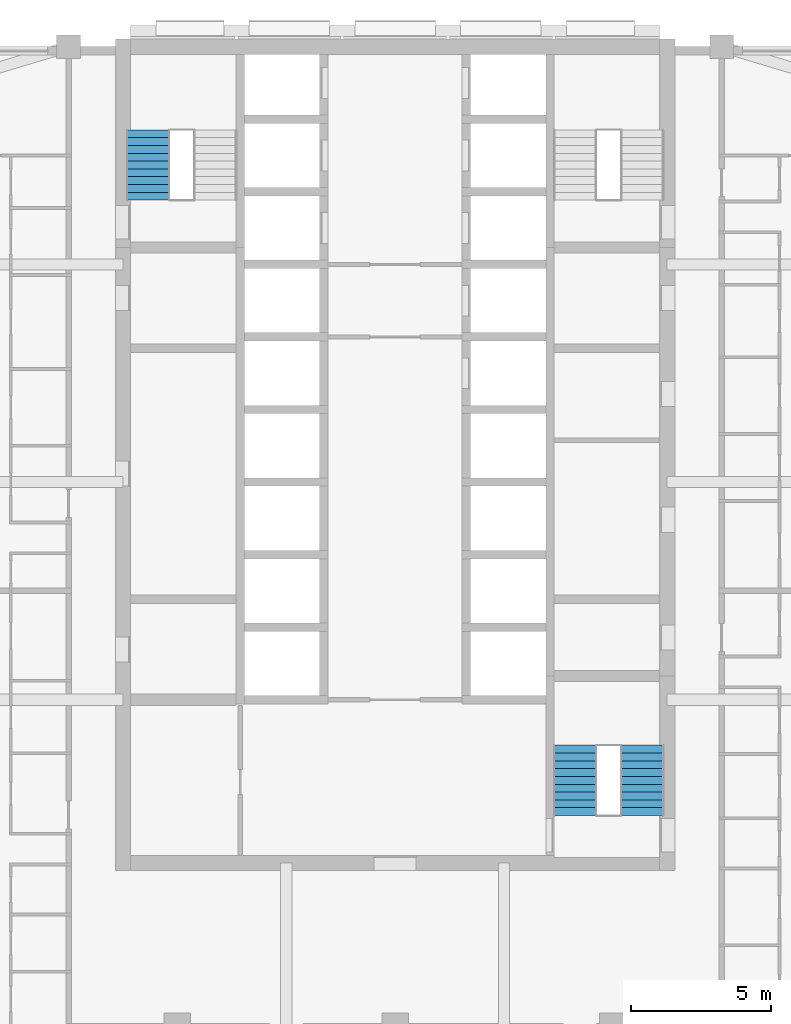
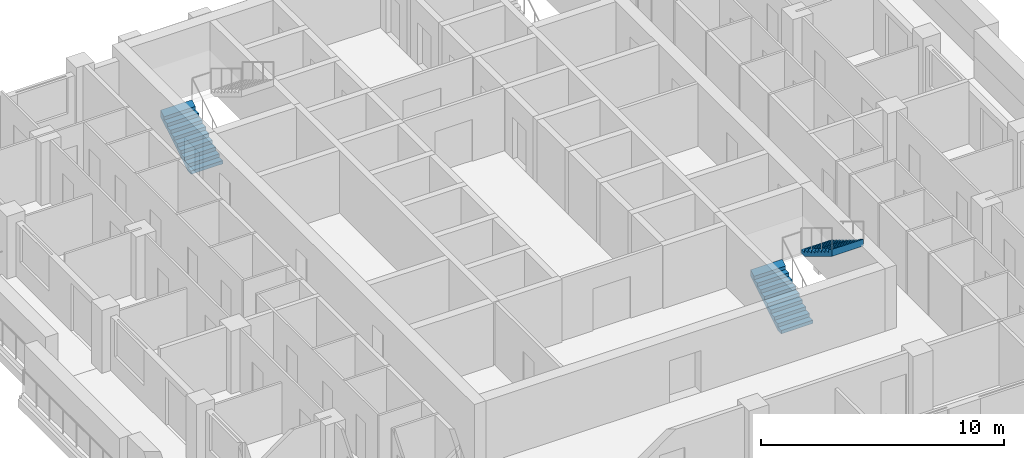
# One storey, part 9 of 12: 3 stair flights, 2 elements without a shape of their own.
"""IFC4 building model written with IfcOpenShell, lengths in metres."""

from ifc_helpers import new_model, si_unit, direction, frame, origin, place, context, subcontext, project, spatial, triangles, material, type_object, element, aggregate, save


model = new_model("IFC4")

# Units and contexts
model_context = context("Model", 3, precision=1e-05, world=origin(), true_north=direction((0.0, 1.0)))
body_context = subcontext(model_context, "Body", "Model", "MODEL_VIEW")
ifc_project = project(units=[si_unit("LENGTHUNIT", "METRE"), si_unit("AREAUNIT", "SQUARE_METRE"), si_unit("VOLUMEUNIT", "CUBIC_METRE"), si_unit("PLANEANGLEUNIT", "RADIAN"), si_unit("MASSUNIT", "GRAM", prefix="KILO")], contexts=[model_context])

# Site, building, storey
site_placement = place(None, origin())
site = spatial("IfcSite", under=ifc_project, at=site_placement, CompositionType="ELEMENT")
building_placement = place(site_placement, origin())
building = spatial("IfcBuilding", under=site, at=building_placement, Name="Ludao Terraces", CompositionType="ELEMENT")
storey_placement = place(building_placement, frame((0.0, 0.0, 137.300048828125)))
storey = spatial("IfcBuildingStorey", under=building, at=storey_placement, Name="L37", CompositionType="ELEMENT", Elevation=137.300048828125)

# Stair, stair flight
ifc_material = material(Name="Concrete C40", Category="concrete")
stair_type = type_object("IfcStairType", Name="INT Stair", PredefinedType="HALF_TURN_STAIR", material=ifc_material)
stair_1_placement = place(storey_placement, origin())
stair_1 = element("IfcStair", 1, at=stair_1_placement, inside=storey, type_object=stair_type, Name="EXIT STAIR 1", PredefinedType="HALF_TURN_STAIR")
stair_flight_type = type_object("IfcStairFlightType", Name="INT Stair flight", PredefinedType="STRAIGHT", material=ifc_material)
stair_flight_1_placement = place(storey_placement, frame((76.14990234375, 79.0, 0.0), z_axis=(0.0, 0.0, 1.0), x_axis=(0.0, 1.0, 0.0)))
stair_flight_1 = element("IfcStairFlight", 2, at=stair_flight_1_placement, type_object=stair_flight_type, Name="ST1 flight 1", NumberOfRisers=10, NumberOfTreads=9, PredefinedType="STRAIGHT", RiserHeight=0.17, TreadLength=0.28, context=body_context, shape_type="Tessellation", body=[
    triangles([(0.0, -0.75, 0.0), (0.0, -0.5, 0.0), (0.0, -0.25, 0.0), (0.0, 0.0, 0.0), (0.0, 0.25, 0.0), (0.0, 0.5, 0.0), (0.0, 0.75, 0.0), (0.0, -0.75, 0.169921875), (0.0, -0.5, 0.169921875), (0.0, -0.25, 0.169921875), (0.0, 0.0, 0.169921875), (0.0, 0.25, 0.169921875), (0.0, 0.5, 0.169921875), (0.0, 0.75, 0.169921875), (0.280029296875, -0.75, 0.169921875), (0.280029296875, -0.5, 0.169921875), (0.280029296875, -0.25, 0.169921875), (0.280029296875, 0.0, 0.169921875), (0.280029296875, 0.25, 0.169921875), (0.280029296875, 0.5, 0.169921875), (0.280029296875, 0.75, 0.169921875), (0.280029296875, -0.75, 0.340087890625), (0.280029296875, -0.5, 0.340087890625), (0.280029296875, -0.25, 0.340087890625), (0.280029296875, 0.0, 0.340087890625), (0.280029296875, 0.25, 0.340087890625), (0.280029296875, 0.5, 0.340087890625), (0.280029296875, 0.75, 0.340087890625), (0.56005859375, -0.75, 0.340087890625), (0.56005859375, -0.5, 0.340087890625), (0.56005859375, -0.25, 0.340087890625), (0.56005859375, 0.0, 0.340087890625), (0.56005859375, 0.25, 0.340087890625), (0.56005859375, 0.5, 0.340087890625), (0.56005859375, 0.75, 0.340087890625), (0.56005859375, -0.75, 0.510009765625), (0.56005859375, -0.5, 0.510009765625), (0.56005859375, -0.25, 0.510009765625), (0.56005859375, 0.0, 0.510009765625), (0.56005859375, 0.25, 0.510009765625), (0.56005859375, 0.5, 0.510009765625), (0.56005859375, 0.75, 0.510009765625), (0.840087890625, -0.75, 0.510009765625), (0.840087890625, -0.5, 0.510009765625), (0.840087890625, -0.25, 0.510009765625), (0.840087890625, 0.0, 0.510009765625), (0.840087890625, 0.25, 0.510009765625), (0.840087890625, 0.5, 0.510009765625), (0.840087890625, 0.75, 0.510009765625), (0.840087890625, -0.75, 0.679931640625), (0.840087890625, -0.5, 0.679931640625), (0.840087890625, -0.25, 0.679931640625), (0.840087890625, 0.0, 0.679931640625), (0.840087890625, 0.25, 0.679931640625), (0.840087890625, 0.5, 0.679931640625), (0.840087890625, 0.75, 0.679931640625), (1.1201171875, -0.75, 0.679931640625), (1.1201171875, -0.5, 0.679931640625), (1.1201171875, -0.25, 0.679931640625), (1.1201171875, 0.0, 0.679931640625), (1.1201171875, 0.25, 0.679931640625), (1.1201171875, 0.5, 0.679931640625), (1.1201171875, 0.75, 0.679931640625), (1.1201171875, -0.75, 0.85009765625), (1.1201171875, -0.5, 0.85009765625), (1.1201171875, -0.25, 0.85009765625), (1.1201171875, 0.0, 0.85009765625), (1.1201171875, 0.25, 0.85009765625), (1.1201171875, 0.5, 0.85009765625), (1.1201171875, 0.75, 0.85009765625), (1.39990234375, -0.75, 0.85009765625), (1.39990234375, -0.5, 0.85009765625), (1.39990234375, -0.25, 0.85009765625), (1.39990234375, 0.0, 0.85009765625), (1.39990234375, 0.25, 0.85009765625), (1.39990234375, 0.5, 0.85009765625), (1.39990234375, 0.75, 0.85009765625), (1.39990234375, -0.75, 1.02001953125), (1.39990234375, -0.5, 1.02001953125), (1.39990234375, -0.25, 1.02001953125), (1.39990234375, 0.0, 1.02001953125), (1.39990234375, 0.25, 1.02001953125), (1.39990234375, 0.5, 1.02001953125), (1.39990234375, 0.75, 1.02001953125), (1.679931640625, -0.75, 1.02001953125), (1.679931640625, -0.5, 1.02001953125), (1.679931640625, -0.25, 1.02001953125), (1.679931640625, 0.0, 1.02001953125), (1.679931640625, 0.25, 1.02001953125), (1.679931640625, 0.5, 1.02001953125), (1.679931640625, 0.75, 1.02001953125), (1.679931640625, -0.75, 1.18994140625), (1.679931640625, -0.5, 1.18994140625), (1.679931640625, -0.25, 1.18994140625), (1.679931640625, 0.0, 1.18994140625), (1.679931640625, 0.25, 1.18994140625), (1.679931640625, 0.5, 1.18994140625), (1.679931640625, 0.75, 1.18994140625), (1.9599609375, -0.75, 1.18994140625), (1.9599609375, -0.5, 1.18994140625), (1.9599609375, -0.25, 1.18994140625), (1.9599609375, 0.0, 1.18994140625), (1.9599609375, 0.25, 1.18994140625), (1.9599609375, 0.5, 1.18994140625), (1.9599609375, 0.75, 1.18994140625), (1.9599609375, -0.75, 1.360107421875), (1.9599609375, -0.5, 1.360107421875), (1.9599609375, -0.25, 1.360107421875), (1.9599609375, 0.0, 1.360107421875), (1.9599609375, 0.25, 1.360107421875), (1.9599609375, 0.5, 1.360107421875), (1.9599609375, 0.75, 1.360107421875), (2.239990234375, -0.75, 1.360107421875), (2.239990234375, -0.5, 1.360107421875), (2.239990234375, -0.25, 1.360107421875), (2.239990234375, 0.0, 1.360107421875), (2.239990234375, 0.25, 1.360107421875), (2.239990234375, 0.5, 1.360107421875), (2.239990234375, 0.75, 1.360107421875), (2.239990234375, -0.75, 1.530029296875), (2.239990234375, -0.5, 1.530029296875), (2.239990234375, -0.25, 1.530029296875), (2.239990234375, 0.0, 1.530029296875), (2.239990234375, 0.25, 1.530029296875), (2.239990234375, 0.5, 1.530029296875), (2.239990234375, 0.75, 1.530029296875), (2.52001953125, -0.75, 1.699951171875), (2.52001953125, -0.5, 1.699951171875), (2.52001953125, -0.25, 1.699951171875), (2.52001953125, 0.0, 1.699951171875), (2.52001953125, 0.25, 1.699951171875), (2.52001953125, 0.5, 1.699951171875), (2.52001953125, 0.75, 1.699951171875), (2.52001953125, -0.75, 1.354736328125), (2.52001953125, -0.5, 1.354736328125), (2.52001953125, -0.25, 1.354736328125), (2.52001953125, 0.0, 1.354736328125), (2.52001953125, 0.25, 1.354736328125), (2.52001953125, 0.5, 1.354736328125), (2.52001953125, 0.75, 1.354736328125), (0.288818359375, -0.75, 0.0), (0.288818359375, -0.5, 0.0), (0.288818359375, -0.25, 0.0), (0.288818359375, 0.0, 0.0), (0.288818359375, 0.25, 0.0), (0.288818359375, 0.5, 0.0), (0.288818359375, 0.75, 0.0)], [[1, 141, 134], [7, 140, 147], [134, 127, 120], [140, 126, 133], [134, 120, 113], [140, 119, 126], [134, 113, 106], [140, 112, 119], [134, 106, 99], [140, 105, 112], [99, 92, 85], [105, 91, 98], [134, 99, 85], [140, 91, 105], [85, 78, 71], [91, 77, 84], [134, 85, 71], [140, 77, 91], [71, 64, 57], [77, 63, 70], [134, 71, 57], [140, 63, 77], [57, 50, 43], [63, 49, 56], [134, 57, 43], [140, 49, 63], [43, 36, 29], [49, 35, 42], [134, 43, 29], [140, 35, 49], [29, 22, 15], [35, 21, 28], [134, 29, 15], [140, 21, 35], [1, 134, 15], [7, 21, 140], [15, 8, 1], [21, 7, 14], [1, 9, 2], [1, 8, 9], [2, 10, 3], [2, 9, 10], [3, 11, 4], [3, 10, 11], [4, 12, 5], [4, 11, 12], [5, 13, 6], [5, 12, 13], [6, 14, 7], [6, 13, 14], [8, 16, 9], [8, 15, 16], [9, 17, 10], [9, 16, 17], [10, 18, 11], [10, 17, 18], [11, 19, 12], [11, 18, 19], [12, 20, 13], [12, 19, 20], [13, 21, 14], [13, 20, 21], [15, 23, 16], [15, 22, 23], [16, 24, 17], [16, 23, 24], [17, 25, 18], [17, 24, 25], [18, 26, 19], [18, 25, 26], [19, 27, 20], [19, 26, 27], [20, 28, 21], [20, 27, 28], [22, 30, 23], [22, 29, 30], [23, 31, 24], [23, 30, 31], [24, 32, 25], [24, 31, 32], [25, 33, 26], [25, 32, 33], [26, 34, 27], [26, 33, 34], [27, 35, 28], [27, 34, 35], [29, 37, 30], [29, 36, 37], [30, 38, 31], [30, 37, 38], [31, 39, 32], [31, 38, 39], [32, 40, 33], [32, 39, 40], [33, 41, 34], [33, 40, 41], [34, 42, 35], [34, 41, 42], [36, 44, 37], [36, 43, 44], [37, 45, 38], [37, 44, 45], [38, 46, 39], [38, 45, 46], [39, 47, 40], [39, 46, 47], [40, 48, 41], [40, 47, 48], [41, 49, 42], [41, 48, 49], [43, 51, 44], [43, 50, 51], [44, 52, 45], [44, 51, 52], [45, 53, 46], [45, 52, 53], [46, 54, 47], [46, 53, 54], [47, 55, 48], [47, 54, 55], [48, 56, 49], [48, 55, 56], [50, 58, 51], [50, 57, 58], [51, 59, 52], [51, 58, 59], [52, 60, 53], [52, 59, 60], [53, 61, 54], [53, 60, 61], [54, 62, 55], [54, 61, 62], [55, 63, 56], [55, 62, 63], [57, 65, 58], [57, 64, 65], [58, 66, 59], [58, 65, 66], [59, 67, 60], [59, 66, 67], [60, 68, 61], [60, 67, 68], [61, 69, 62], [61, 68, 69], [62, 70, 63], [62, 69, 70], [64, 72, 65], [64, 71, 72], [65, 73, 66], [65, 72, 73], [66, 74, 67], [66, 73, 74], [67, 75, 68], [67, 74, 75], [68, 76, 69], [68, 75, 76], [69, 77, 70], [69, 76, 77], [71, 79, 72], [71, 78, 79], [72, 80, 73], [72, 79, 80], [73, 81, 74], [73, 80, 81], [74, 82, 75], [74, 81, 82], [75, 83, 76], [75, 82, 83], [76, 84, 77], [76, 83, 84], [78, 86, 79], [78, 85, 86], [79, 87, 80], [79, 86, 87], [80, 88, 81], [80, 87, 88], [81, 89, 82], [81, 88, 89], [82, 90, 83], [82, 89, 90], [83, 91, 84], [83, 90, 91], [85, 93, 86], [85, 92, 93], [86, 94, 87], [86, 93, 94], [87, 95, 88], [87, 94, 95], [88, 96, 89], [88, 95, 96], [89, 97, 90], [89, 96, 97], [90, 98, 91], [90, 97, 98], [92, 100, 93], [92, 99, 100], [93, 101, 94], [93, 100, 101], [94, 102, 95], [94, 101, 102], [95, 103, 96], [95, 102, 103], [96, 104, 97], [96, 103, 104], [97, 105, 98], [97, 104, 105], [99, 107, 100], [99, 106, 107], [100, 108, 101], [100, 107, 108], [101, 109, 102], [101, 108, 109], [102, 110, 103], [102, 109, 110], [103, 111, 104], [103, 110, 111], [104, 112, 105], [104, 111, 112], [106, 114, 107], [106, 113, 114], [107, 115, 108], [107, 114, 115], [108, 116, 109], [108, 115, 116], [109, 117, 110], [109, 116, 117], [110, 118, 111], [110, 117, 118], [111, 119, 112], [111, 118, 119], [113, 121, 114], [113, 120, 121], [114, 122, 115], [114, 121, 122], [115, 123, 116], [115, 122, 123], [116, 124, 117], [116, 123, 124], [117, 125, 118], [117, 124, 125], [118, 126, 119], [118, 125, 126], [120, 128, 121], [120, 127, 128], [121, 129, 122], [121, 128, 129], [122, 130, 123], [122, 129, 130], [123, 131, 124], [123, 130, 131], [124, 132, 125], [124, 131, 132], [125, 133, 126], [125, 132, 133], [127, 135, 128], [127, 134, 135], [128, 136, 129], [128, 135, 136], [129, 137, 130], [129, 136, 137], [130, 138, 131], [130, 137, 138], [131, 139, 132], [131, 138, 139], [132, 140, 133], [132, 139, 140], [134, 142, 135], [134, 141, 142], [135, 143, 136], [135, 142, 143], [136, 144, 137], [136, 143, 144], [137, 145, 138], [137, 144, 145], [138, 146, 139], [138, 145, 146], [139, 147, 140], [139, 146, 147], [141, 2, 142], [141, 1, 2], [142, 3, 143], [142, 2, 3], [143, 4, 144], [143, 3, 4], [144, 5, 145], [144, 4, 5], [145, 6, 146], [145, 5, 6], [146, 7, 147], [146, 6, 7]], closed=True),
])
aggregate(stair_1, [stair_flight_1])

# Stair, stair flights
stair_2_placement = place(storey_placement, origin())
stair_2 = element("IfcStair", 3, at=stair_2_placement, inside=storey, type_object=stair_type, Name="EXIT STAIR 3", PredefinedType="HALF_TURN_STAIR")
stair_flight_2_placement = place(storey_placement, frame((91.449951171875, 56.949951171875, 0.0), z_axis=(0.0, 0.0, 1.0), x_axis=(0.0, 1.0, 0.0)))
stair_flight_2 = element("IfcStairFlight", 4, at=stair_flight_2_placement, type_object=stair_flight_type, Name="ST3 flight 1", NumberOfRisers=10, NumberOfTreads=9, PredefinedType="STRAIGHT", RiserHeight=0.17, TreadLength=0.28, context=body_context, shape_type="Tessellation", body=[
    triangles([(0.0, -0.75, 0.0), (0.0, -0.5, 0.0), (0.0, -0.25, 0.0), (0.0, 0.0, 0.0), (0.0, 0.25, 0.0), (0.0, 0.5, 0.0), (0.0, 0.75, 0.0), (0.0, -0.75, 0.169921875), (0.0, -0.5, 0.169921875), (0.0, -0.25, 0.169921875), (0.0, 0.0, 0.169921875), (0.0, 0.25, 0.169921875), (0.0, 0.5, 0.169921875), (0.0, 0.75, 0.169921875), (0.280029296875, -0.75, 0.169921875), (0.280029296875, -0.5, 0.169921875), (0.280029296875, -0.25, 0.169921875), (0.280029296875, 0.0, 0.169921875), (0.280029296875, 0.25, 0.169921875), (0.280029296875, 0.5, 0.169921875), (0.280029296875, 0.75, 0.169921875), (0.280029296875, -0.75, 0.340087890625), (0.280029296875, -0.5, 0.340087890625), (0.280029296875, -0.25, 0.340087890625), (0.280029296875, 0.0, 0.340087890625), (0.280029296875, 0.25, 0.340087890625), (0.280029296875, 0.5, 0.340087890625), (0.280029296875, 0.75, 0.340087890625), (0.56005859375, -0.75, 0.340087890625), (0.56005859375, -0.5, 0.340087890625), (0.56005859375, -0.25, 0.340087890625), (0.56005859375, 0.0, 0.340087890625), (0.56005859375, 0.25, 0.340087890625), (0.56005859375, 0.5, 0.340087890625), (0.56005859375, 0.75, 0.340087890625), (0.56005859375, -0.75, 0.510009765625), (0.56005859375, -0.5, 0.510009765625), (0.56005859375, -0.25, 0.510009765625), (0.56005859375, 0.0, 0.510009765625), (0.56005859375, 0.25, 0.510009765625), (0.56005859375, 0.5, 0.510009765625), (0.56005859375, 0.75, 0.510009765625), (0.840087890625, -0.75, 0.510009765625), (0.840087890625, -0.5, 0.510009765625), (0.840087890625, -0.25, 0.510009765625), (0.840087890625, 0.0, 0.510009765625), (0.840087890625, 0.25, 0.510009765625), (0.840087890625, 0.5, 0.510009765625), (0.840087890625, 0.75, 0.510009765625), (0.840087890625, -0.75, 0.679931640625), (0.840087890625, -0.5, 0.679931640625), (0.840087890625, -0.25, 0.679931640625), (0.840087890625, 0.0, 0.679931640625), (0.840087890625, 0.25, 0.679931640625), (0.840087890625, 0.5, 0.679931640625), (0.840087890625, 0.75, 0.679931640625), (1.1201171875, -0.75, 0.679931640625), (1.1201171875, -0.5, 0.679931640625), (1.1201171875, -0.25, 0.679931640625), (1.1201171875, 0.0, 0.679931640625), (1.1201171875, 0.25, 0.679931640625), (1.1201171875, 0.5, 0.679931640625), (1.1201171875, 0.75, 0.679931640625), (1.1201171875, -0.75, 0.85009765625), (1.1201171875, -0.5, 0.85009765625), (1.1201171875, -0.25, 0.85009765625), (1.1201171875, 0.0, 0.85009765625), (1.1201171875, 0.25, 0.85009765625), (1.1201171875, 0.5, 0.85009765625), (1.1201171875, 0.75, 0.85009765625), (1.39990234375, -0.75, 0.85009765625), (1.39990234375, -0.5, 0.85009765625), (1.39990234375, -0.25, 0.85009765625), (1.39990234375, 0.0, 0.85009765625), (1.39990234375, 0.25, 0.85009765625), (1.39990234375, 0.5, 0.85009765625), (1.39990234375, 0.75, 0.85009765625), (1.39990234375, -0.75, 1.02001953125), (1.39990234375, -0.5, 1.02001953125), (1.39990234375, -0.25, 1.02001953125), (1.39990234375, 0.0, 1.02001953125), (1.39990234375, 0.25, 1.02001953125), (1.39990234375, 0.5, 1.02001953125), (1.39990234375, 0.75, 1.02001953125), (1.679931640625, -0.75, 1.02001953125), (1.679931640625, -0.5, 1.02001953125), (1.679931640625, -0.25, 1.02001953125), (1.679931640625, 0.0, 1.02001953125), (1.679931640625, 0.25, 1.02001953125), (1.679931640625, 0.5, 1.02001953125), (1.679931640625, 0.75, 1.02001953125), (1.679931640625, -0.75, 1.18994140625), (1.679931640625, -0.5, 1.18994140625), (1.679931640625, -0.25, 1.18994140625), (1.679931640625, 0.0, 1.18994140625), (1.679931640625, 0.25, 1.18994140625), (1.679931640625, 0.5, 1.18994140625), (1.679931640625, 0.75, 1.18994140625), (1.9599609375, -0.75, 1.18994140625), (1.9599609375, -0.5, 1.18994140625), (1.9599609375, -0.25, 1.18994140625), (1.9599609375, 0.0, 1.18994140625), (1.9599609375, 0.25, 1.18994140625), (1.9599609375, 0.5, 1.18994140625), (1.9599609375, 0.75, 1.18994140625), (1.9599609375, -0.75, 1.360107421875), (1.9599609375, -0.5, 1.360107421875), (1.9599609375, -0.25, 1.360107421875), (1.9599609375, 0.0, 1.360107421875), (1.9599609375, 0.25, 1.360107421875), (1.9599609375, 0.5, 1.360107421875), (1.9599609375, 0.75, 1.360107421875), (2.239990234375, -0.75, 1.360107421875), (2.239990234375, -0.5, 1.360107421875), (2.239990234375, -0.25, 1.360107421875), (2.239990234375, 0.0, 1.360107421875), (2.239990234375, 0.25, 1.360107421875), (2.239990234375, 0.5, 1.360107421875), (2.239990234375, 0.75, 1.360107421875), (2.239990234375, -0.75, 1.530029296875), (2.239990234375, -0.5, 1.530029296875), (2.239990234375, -0.25, 1.530029296875), (2.239990234375, 0.0, 1.530029296875), (2.239990234375, 0.25, 1.530029296875), (2.239990234375, 0.5, 1.530029296875), (2.239990234375, 0.75, 1.530029296875), (2.52001953125, -0.75, 1.699951171875), (2.52001953125, -0.5, 1.699951171875), (2.52001953125, -0.25, 1.699951171875), (2.52001953125, 0.0, 1.699951171875), (2.52001953125, 0.25, 1.699951171875), (2.52001953125, 0.5, 1.699951171875), (2.52001953125, 0.75, 1.699951171875), (2.52001953125, -0.75, 1.354736328125), (2.52001953125, -0.5, 1.354736328125), (2.52001953125, -0.25, 1.354736328125), (2.52001953125, 0.0, 1.354736328125), (2.52001953125, 0.25, 1.354736328125), (2.52001953125, 0.5, 1.354736328125), (2.52001953125, 0.75, 1.354736328125), (0.288818359375, -0.75, 0.0), (0.288818359375, -0.5, 0.0), (0.288818359375, -0.25, 0.0), (0.288818359375, 0.0, 0.0), (0.288818359375, 0.25, 0.0), (0.288818359375, 0.5, 0.0), (0.288818359375, 0.75, 0.0)], [[1, 141, 134], [7, 140, 147], [134, 127, 120], [140, 126, 133], [134, 120, 113], [140, 119, 126], [134, 113, 106], [140, 112, 119], [134, 106, 99], [140, 105, 112], [99, 92, 85], [105, 91, 98], [134, 99, 85], [140, 91, 105], [85, 78, 71], [91, 77, 84], [134, 85, 71], [140, 77, 91], [71, 64, 57], [77, 63, 70], [134, 71, 57], [140, 63, 77], [57, 50, 43], [63, 49, 56], [134, 57, 43], [140, 49, 63], [43, 36, 29], [49, 35, 42], [134, 43, 29], [140, 35, 49], [29, 22, 15], [35, 21, 28], [134, 29, 15], [140, 21, 35], [1, 134, 15], [7, 21, 140], [15, 8, 1], [21, 7, 14], [1, 9, 2], [1, 8, 9], [2, 10, 3], [2, 9, 10], [3, 11, 4], [3, 10, 11], [4, 12, 5], [4, 11, 12], [5, 13, 6], [5, 12, 13], [6, 14, 7], [6, 13, 14], [8, 16, 9], [8, 15, 16], [9, 17, 10], [9, 16, 17], [10, 18, 11], [10, 17, 18], [11, 19, 12], [11, 18, 19], [12, 20, 13], [12, 19, 20], [13, 21, 14], [13, 20, 21], [15, 23, 16], [15, 22, 23], [16, 24, 17], [16, 23, 24], [17, 25, 18], [17, 24, 25], [18, 26, 19], [18, 25, 26], [19, 27, 20], [19, 26, 27], [20, 28, 21], [20, 27, 28], [22, 30, 23], [22, 29, 30], [23, 31, 24], [23, 30, 31], [24, 32, 25], [24, 31, 32], [25, 33, 26], [25, 32, 33], [26, 34, 27], [26, 33, 34], [27, 35, 28], [27, 34, 35], [29, 37, 30], [29, 36, 37], [30, 38, 31], [30, 37, 38], [31, 39, 32], [31, 38, 39], [32, 40, 33], [32, 39, 40], [33, 41, 34], [33, 40, 41], [34, 42, 35], [34, 41, 42], [36, 44, 37], [36, 43, 44], [37, 45, 38], [37, 44, 45], [38, 46, 39], [38, 45, 46], [39, 47, 40], [39, 46, 47], [40, 48, 41], [40, 47, 48], [41, 49, 42], [41, 48, 49], [43, 51, 44], [43, 50, 51], [44, 52, 45], [44, 51, 52], [45, 53, 46], [45, 52, 53], [46, 54, 47], [46, 53, 54], [47, 55, 48], [47, 54, 55], [48, 56, 49], [48, 55, 56], [50, 58, 51], [50, 57, 58], [51, 59, 52], [51, 58, 59], [52, 60, 53], [52, 59, 60], [53, 61, 54], [53, 60, 61], [54, 62, 55], [54, 61, 62], [55, 63, 56], [55, 62, 63], [57, 65, 58], [57, 64, 65], [58, 66, 59], [58, 65, 66], [59, 67, 60], [59, 66, 67], [60, 68, 61], [60, 67, 68], [61, 69, 62], [61, 68, 69], [62, 70, 63], [62, 69, 70], [64, 72, 65], [64, 71, 72], [65, 73, 66], [65, 72, 73], [66, 74, 67], [66, 73, 74], [67, 75, 68], [67, 74, 75], [68, 76, 69], [68, 75, 76], [69, 77, 70], [69, 76, 77], [71, 79, 72], [71, 78, 79], [72, 80, 73], [72, 79, 80], [73, 81, 74], [73, 80, 81], [74, 82, 75], [74, 81, 82], [75, 83, 76], [75, 82, 83], [76, 84, 77], [76, 83, 84], [78, 86, 79], [78, 85, 86], [79, 87, 80], [79, 86, 87], [80, 88, 81], [80, 87, 88], [81, 89, 82], [81, 88, 89], [82, 90, 83], [82, 89, 90], [83, 91, 84], [83, 90, 91], [85, 93, 86], [85, 92, 93], [86, 94, 87], [86, 93, 94], [87, 95, 88], [87, 94, 95], [88, 96, 89], [88, 95, 96], [89, 97, 90], [89, 96, 97], [90, 98, 91], [90, 97, 98], [92, 100, 93], [92, 99, 100], [93, 101, 94], [93, 100, 101], [94, 102, 95], [94, 101, 102], [95, 103, 96], [95, 102, 103], [96, 104, 97], [96, 103, 104], [97, 105, 98], [97, 104, 105], [99, 107, 100], [99, 106, 107], [100, 108, 101], [100, 107, 108], [101, 109, 102], [101, 108, 109], [102, 110, 103], [102, 109, 110], [103, 111, 104], [103, 110, 111], [104, 112, 105], [104, 111, 112], [106, 114, 107], [106, 113, 114], [107, 115, 108], [107, 114, 115], [108, 116, 109], [108, 115, 116], [109, 117, 110], [109, 116, 117], [110, 118, 111], [110, 117, 118], [111, 119, 112], [111, 118, 119], [113, 121, 114], [113, 120, 121], [114, 122, 115], [114, 121, 122], [115, 123, 116], [115, 122, 123], [116, 124, 117], [116, 123, 124], [117, 125, 118], [117, 124, 125], [118, 126, 119], [118, 125, 126], [120, 128, 121], [120, 127, 128], [121, 129, 122], [121, 128, 129], [122, 130, 123], [122, 129, 130], [123, 131, 124], [123, 130, 131], [124, 132, 125], [124, 131, 132], [125, 133, 126], [125, 132, 133], [127, 135, 128], [127, 134, 135], [128, 136, 129], [128, 135, 136], [129, 137, 130], [129, 136, 137], [130, 138, 131], [130, 137, 138], [131, 139, 132], [131, 138, 139], [132, 140, 133], [132, 139, 140], [134, 142, 135], [134, 141, 142], [135, 143, 136], [135, 142, 143], [136, 144, 137], [136, 143, 144], [137, 145, 138], [137, 144, 145], [138, 146, 139], [138, 145, 146], [139, 147, 140], [139, 146, 147], [141, 2, 142], [141, 1, 2], [142, 3, 143], [142, 2, 3], [143, 4, 144], [143, 3, 4], [144, 5, 145], [144, 4, 5], [145, 6, 146], [145, 5, 6], [146, 7, 147], [146, 6, 7]], closed=True),
])
stair_flight_3_placement = place(storey_placement, frame((93.85009765625, 59.469970703125, 1.699951171875), z_axis=(0.0, 0.0, 1.0), x_axis=(0.0, -1.0, 0.0)))
stair_flight_3 = element("IfcStairFlight", 5, at=stair_flight_3_placement, type_object=stair_flight_type, Name="ST3 flight 2", NumberOfRisers=10, NumberOfTreads=9, PredefinedType="STRAIGHT", RiserHeight=0.17, TreadLength=0.28, context=body_context, shape_type="Tessellation", body=[
    triangles([(0.0, -0.75, 0.0), (0.0, -0.5, 0.0), (0.0, -0.25, 0.0), (0.0, 0.0, 0.0), (0.0, 0.25, 0.0), (0.0, 0.5, 0.0), (0.0, 0.75, 0.0), (0.0, -0.75, 0.169921875), (0.0, -0.5, 0.169921875), (0.0, -0.25, 0.169921875), (0.0, 0.0, 0.169921875), (0.0, 0.25, 0.169921875), (0.0, 0.5, 0.169921875), (0.0, 0.75, 0.169921875), (0.280029296875, -0.75, 0.169921875), (0.280029296875, -0.5, 0.169921875), (0.280029296875, -0.25, 0.169921875), (0.280029296875, 0.0, 0.169921875), (0.280029296875, 0.25, 0.169921875), (0.280029296875, 0.5, 0.169921875), (0.280029296875, 0.75, 0.169921875), (0.280029296875, -0.75, 0.340087890625), (0.280029296875, -0.5, 0.340087890625), (0.280029296875, -0.25, 0.340087890625), (0.280029296875, 0.0, 0.340087890625), (0.280029296875, 0.25, 0.340087890625), (0.280029296875, 0.5, 0.340087890625), (0.280029296875, 0.75, 0.340087890625), (0.56005859375, -0.75, 0.340087890625), (0.56005859375, -0.5, 0.340087890625), (0.56005859375, -0.25, 0.340087890625), (0.56005859375, 0.0, 0.340087890625), (0.56005859375, 0.25, 0.340087890625), (0.56005859375, 0.5, 0.340087890625), (0.56005859375, 0.75, 0.340087890625), (0.56005859375, -0.75, 0.510009765625), (0.56005859375, -0.5, 0.510009765625), (0.56005859375, -0.25, 0.510009765625), (0.56005859375, 0.0, 0.510009765625), (0.56005859375, 0.25, 0.510009765625), (0.56005859375, 0.5, 0.510009765625), (0.56005859375, 0.75, 0.510009765625), (0.840087890625, -0.75, 0.510009765625), (0.840087890625, -0.5, 0.510009765625), (0.840087890625, -0.25, 0.510009765625), (0.840087890625, 0.0, 0.510009765625), (0.840087890625, 0.25, 0.510009765625), (0.840087890625, 0.5, 0.510009765625), (0.840087890625, 0.75, 0.510009765625), (0.840087890625, -0.75, 0.679931640625), (0.840087890625, -0.5, 0.679931640625), (0.840087890625, -0.25, 0.679931640625), (0.840087890625, 0.0, 0.679931640625), (0.840087890625, 0.25, 0.679931640625), (0.840087890625, 0.5, 0.679931640625), (0.840087890625, 0.75, 0.679931640625), (1.1201171875, -0.75, 0.679931640625), (1.1201171875, -0.5, 0.679931640625), (1.1201171875, -0.25, 0.679931640625), (1.1201171875, 0.0, 0.679931640625), (1.1201171875, 0.25, 0.679931640625), (1.1201171875, 0.5, 0.679931640625), (1.1201171875, 0.75, 0.679931640625), (1.1201171875, -0.75, 0.85009765625), (1.1201171875, -0.5, 0.85009765625), (1.1201171875, -0.25, 0.85009765625), (1.1201171875, 0.0, 0.85009765625), (1.1201171875, 0.25, 0.85009765625), (1.1201171875, 0.5, 0.85009765625), (1.1201171875, 0.75, 0.85009765625), (1.39990234375, -0.75, 0.85009765625), (1.39990234375, -0.5, 0.85009765625), (1.39990234375, -0.25, 0.85009765625), (1.39990234375, 0.0, 0.85009765625), (1.39990234375, 0.25, 0.85009765625), (1.39990234375, 0.5, 0.85009765625), (1.39990234375, 0.75, 0.85009765625), (1.39990234375, -0.75, 1.02001953125), (1.39990234375, -0.5, 1.02001953125), (1.39990234375, -0.25, 1.02001953125), (1.39990234375, 0.0, 1.02001953125), (1.39990234375, 0.25, 1.02001953125), (1.39990234375, 0.5, 1.02001953125), (1.39990234375, 0.75, 1.02001953125), (1.679931640625, -0.75, 1.02001953125), (1.679931640625, -0.5, 1.02001953125), (1.679931640625, -0.25, 1.02001953125), (1.679931640625, 0.0, 1.02001953125), (1.679931640625, 0.25, 1.02001953125), (1.679931640625, 0.5, 1.02001953125), (1.679931640625, 0.75, 1.02001953125), (1.679931640625, -0.75, 1.18994140625), (1.679931640625, -0.5, 1.18994140625), (1.679931640625, -0.25, 1.18994140625), (1.679931640625, 0.0, 1.18994140625), (1.679931640625, 0.25, 1.18994140625), (1.679931640625, 0.5, 1.18994140625), (1.679931640625, 0.75, 1.18994140625), (1.9599609375, -0.75, 1.18994140625), (1.9599609375, -0.5, 1.18994140625), (1.9599609375, -0.25, 1.18994140625), (1.9599609375, 0.0, 1.18994140625), (1.9599609375, 0.25, 1.18994140625), (1.9599609375, 0.5, 1.18994140625), (1.9599609375, 0.75, 1.18994140625), (1.9599609375, -0.75, 1.360107421875), (1.9599609375, -0.5, 1.360107421875), (1.9599609375, -0.25, 1.360107421875), (1.9599609375, 0.0, 1.360107421875), (1.9599609375, 0.25, 1.360107421875), (1.9599609375, 0.5, 1.360107421875), (1.9599609375, 0.75, 1.360107421875), (2.239990234375, -0.75, 1.360107421875), (2.239990234375, -0.5, 1.360107421875), (2.239990234375, -0.25, 1.360107421875), (2.239990234375, 0.0, 1.360107421875), (2.239990234375, 0.25, 1.360107421875), (2.239990234375, 0.5, 1.360107421875), (2.239990234375, 0.75, 1.360107421875), (2.239990234375, -0.75, 1.530029296875), (2.239990234375, -0.5, 1.530029296875), (2.239990234375, -0.25, 1.530029296875), (2.239990234375, 0.0, 1.530029296875), (2.239990234375, 0.25, 1.530029296875), (2.239990234375, 0.5, 1.530029296875), (2.239990234375, 0.75, 1.530029296875), (2.52001953125, -0.75, 1.699951171875), (2.52001953125, -0.5, 1.699951171875), (2.52001953125, -0.25, 1.699951171875), (2.52001953125, 0.0, 1.699951171875), (2.52001953125, 0.25, 1.699951171875), (2.52001953125, 0.5, 1.699951171875), (2.52001953125, 0.75, 1.699951171875), (2.52001953125, -0.75, 1.354736328125), (2.52001953125, -0.5, 1.354736328125), (2.52001953125, -0.25, 1.354736328125), (2.52001953125, 0.0, 1.354736328125), (2.52001953125, 0.25, 1.354736328125), (2.52001953125, 0.5, 1.354736328125), (2.52001953125, 0.75, 1.354736328125), (0.288818359375, -0.75, 0.0), (0.288818359375, -0.5, 0.0), (0.288818359375, -0.25, 0.0), (0.288818359375, 0.0, 0.0), (0.288818359375, 0.25, 0.0), (0.288818359375, 0.5, 0.0), (0.288818359375, 0.75, 0.0)], [[1, 141, 134], [7, 140, 147], [134, 127, 120], [140, 126, 133], [134, 120, 113], [140, 119, 126], [134, 113, 106], [140, 112, 119], [134, 106, 99], [140, 105, 112], [99, 92, 85], [105, 91, 98], [134, 99, 85], [140, 91, 105], [85, 78, 71], [91, 77, 84], [134, 85, 71], [140, 77, 91], [71, 64, 57], [77, 63, 70], [134, 71, 57], [140, 63, 77], [57, 50, 43], [63, 49, 56], [134, 57, 43], [140, 49, 63], [43, 36, 29], [49, 35, 42], [134, 43, 29], [140, 35, 49], [29, 22, 15], [35, 21, 28], [134, 29, 15], [140, 21, 35], [1, 134, 15], [7, 21, 140], [15, 8, 1], [21, 7, 14], [1, 9, 2], [1, 8, 9], [2, 10, 3], [2, 9, 10], [3, 11, 4], [3, 10, 11], [4, 12, 5], [4, 11, 12], [5, 13, 6], [5, 12, 13], [6, 14, 7], [6, 13, 14], [8, 16, 9], [8, 15, 16], [9, 17, 10], [9, 16, 17], [10, 18, 11], [10, 17, 18], [11, 19, 12], [11, 18, 19], [12, 20, 13], [12, 19, 20], [13, 21, 14], [13, 20, 21], [15, 23, 16], [15, 22, 23], [16, 24, 17], [16, 23, 24], [17, 25, 18], [17, 24, 25], [18, 26, 19], [18, 25, 26], [19, 27, 20], [19, 26, 27], [20, 28, 21], [20, 27, 28], [22, 30, 23], [22, 29, 30], [23, 31, 24], [23, 30, 31], [24, 32, 25], [24, 31, 32], [25, 33, 26], [25, 32, 33], [26, 34, 27], [26, 33, 34], [27, 35, 28], [27, 34, 35], [29, 37, 30], [29, 36, 37], [30, 38, 31], [30, 37, 38], [31, 39, 32], [31, 38, 39], [32, 40, 33], [32, 39, 40], [33, 41, 34], [33, 40, 41], [34, 42, 35], [34, 41, 42], [36, 44, 37], [36, 43, 44], [37, 45, 38], [37, 44, 45], [38, 46, 39], [38, 45, 46], [39, 47, 40], [39, 46, 47], [40, 48, 41], [40, 47, 48], [41, 49, 42], [41, 48, 49], [43, 51, 44], [43, 50, 51], [44, 52, 45], [44, 51, 52], [45, 53, 46], [45, 52, 53], [46, 54, 47], [46, 53, 54], [47, 55, 48], [47, 54, 55], [48, 56, 49], [48, 55, 56], [50, 58, 51], [50, 57, 58], [51, 59, 52], [51, 58, 59], [52, 60, 53], [52, 59, 60], [53, 61, 54], [53, 60, 61], [54, 62, 55], [54, 61, 62], [55, 63, 56], [55, 62, 63], [57, 65, 58], [57, 64, 65], [58, 66, 59], [58, 65, 66], [59, 67, 60], [59, 66, 67], [60, 68, 61], [60, 67, 68], [61, 69, 62], [61, 68, 69], [62, 70, 63], [62, 69, 70], [64, 72, 65], [64, 71, 72], [65, 73, 66], [65, 72, 73], [66, 74, 67], [66, 73, 74], [67, 75, 68], [67, 74, 75], [68, 76, 69], [68, 75, 76], [69, 77, 70], [69, 76, 77], [71, 79, 72], [71, 78, 79], [72, 80, 73], [72, 79, 80], [73, 81, 74], [73, 80, 81], [74, 82, 75], [74, 81, 82], [75, 83, 76], [75, 82, 83], [76, 84, 77], [76, 83, 84], [78, 86, 79], [78, 85, 86], [79, 87, 80], [79, 86, 87], [80, 88, 81], [80, 87, 88], [81, 89, 82], [81, 88, 89], [82, 90, 83], [82, 89, 90], [83, 91, 84], [83, 90, 91], [85, 93, 86], [85, 92, 93], [86, 94, 87], [86, 93, 94], [87, 95, 88], [87, 94, 95], [88, 96, 89], [88, 95, 96], [89, 97, 90], [89, 96, 97], [90, 98, 91], [90, 97, 98], [92, 100, 93], [92, 99, 100], [93, 101, 94], [93, 100, 101], [94, 102, 95], [94, 101, 102], [95, 103, 96], [95, 102, 103], [96, 104, 97], [96, 103, 104], [97, 105, 98], [97, 104, 105], [99, 107, 100], [99, 106, 107], [100, 108, 101], [100, 107, 108], [101, 109, 102], [101, 108, 109], [102, 110, 103], [102, 109, 110], [103, 111, 104], [103, 110, 111], [104, 112, 105], [104, 111, 112], [106, 114, 107], [106, 113, 114], [107, 115, 108], [107, 114, 115], [108, 116, 109], [108, 115, 116], [109, 117, 110], [109, 116, 117], [110, 118, 111], [110, 117, 118], [111, 119, 112], [111, 118, 119], [113, 121, 114], [113, 120, 121], [114, 122, 115], [114, 121, 122], [115, 123, 116], [115, 122, 123], [116, 124, 117], [116, 123, 124], [117, 125, 118], [117, 124, 125], [118, 126, 119], [118, 125, 126], [120, 128, 121], [120, 127, 128], [121, 129, 122], [121, 128, 129], [122, 130, 123], [122, 129, 130], [123, 131, 124], [123, 130, 131], [124, 132, 125], [124, 131, 132], [125, 133, 126], [125, 132, 133], [127, 135, 128], [127, 134, 135], [128, 136, 129], [128, 135, 136], [129, 137, 130], [129, 136, 137], [130, 138, 131], [130, 137, 138], [131, 139, 132], [131, 138, 139], [132, 140, 133], [132, 139, 140], [134, 142, 135], [134, 141, 142], [135, 143, 136], [135, 142, 143], [136, 144, 137], [136, 143, 144], [137, 145, 138], [137, 144, 145], [138, 146, 139], [138, 145, 146], [139, 147, 140], [139, 146, 147], [141, 2, 142], [141, 1, 2], [142, 3, 143], [142, 2, 3], [143, 4, 144], [143, 3, 4], [144, 5, 145], [144, 4, 5], [145, 6, 146], [145, 5, 6], [146, 7, 147], [146, 6, 7]], closed=True),
])
aggregate(stair_2, [stair_flight_2, stair_flight_3])

save(model, "model.ifc")
